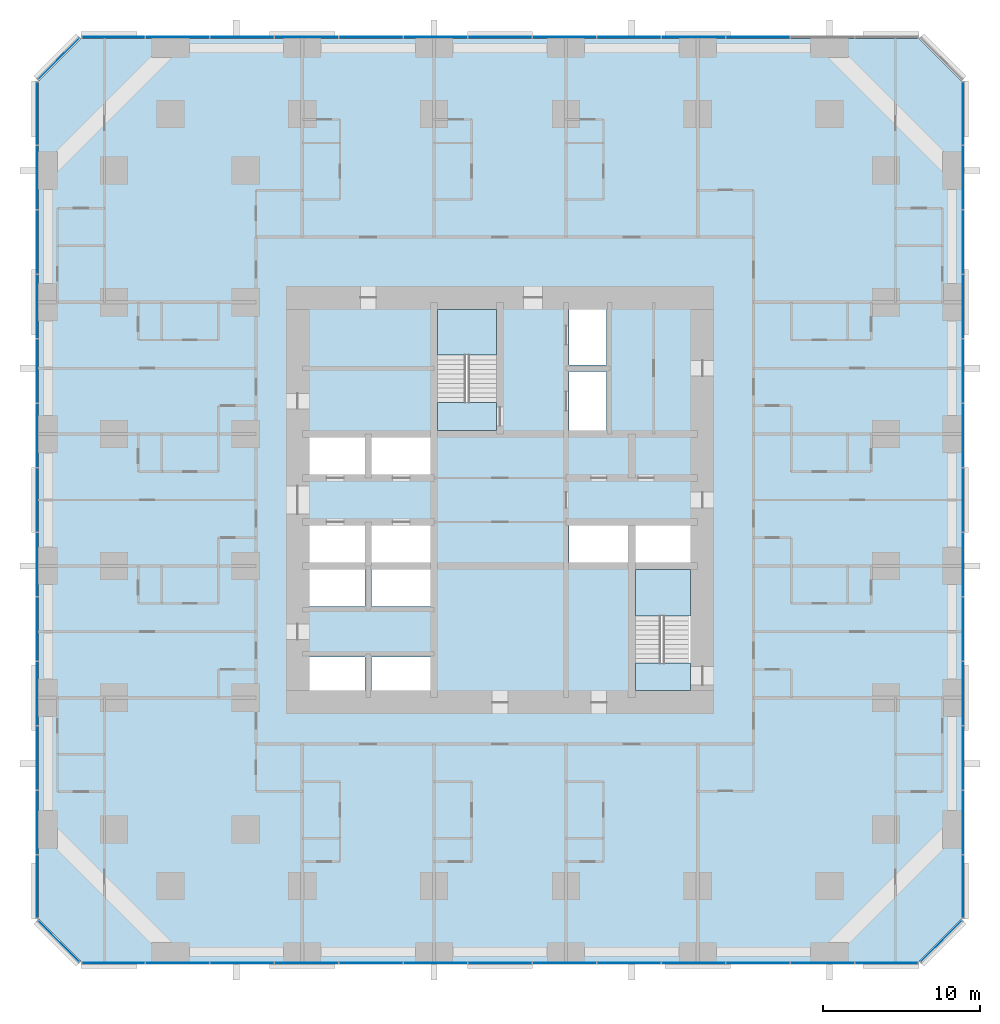
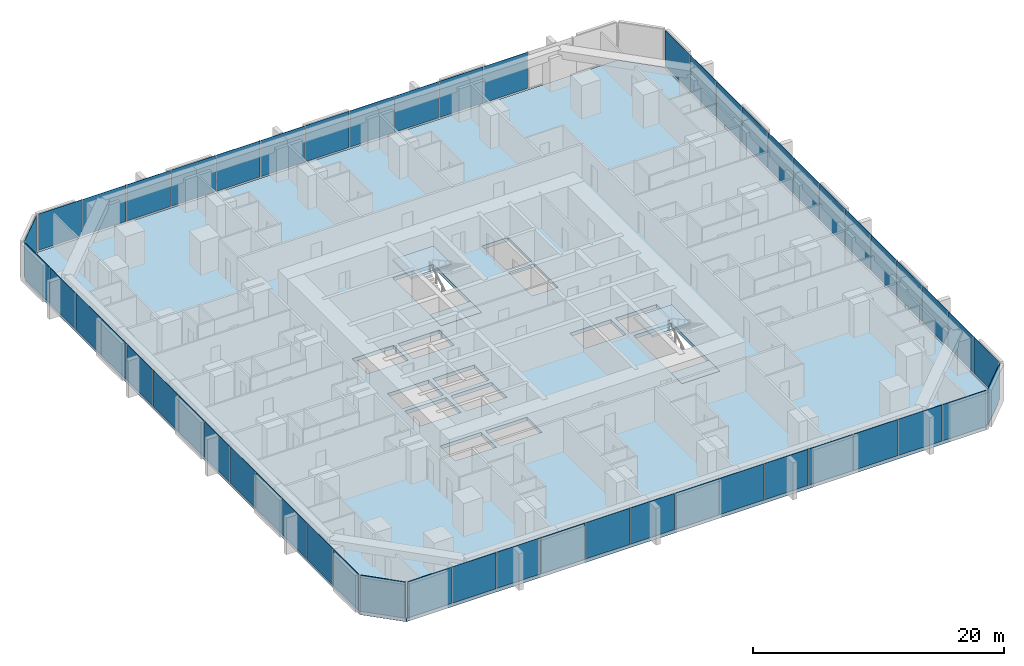
# One storey, part 9 of 17: 53 plates, 5 slabs, 9 elements without a shape of their own.
"""IFC4 building model written with IfcOpenShell, lengths in metres."""

from ifc_helpers import new_model, si_unit, direction, frame, origin, origin_2d, place, context, subcontext, project, spatial, polyline, rectangle, outline, extrude, material, layer, layer_set, type_object, element, aggregate, save


model = new_model("IFC4")

# Units and contexts
model_context = context("Model", 3, precision=1e-05, world=origin(), true_north=direction((0.0, 1.0)))
body_context = subcontext(model_context, "Body", "Model", "MODEL_VIEW")
ifc_project = project(units=[si_unit("LENGTHUNIT", "METRE"), si_unit("AREAUNIT", "SQUARE_METRE"), si_unit("VOLUMEUNIT", "CUBIC_METRE"), si_unit("PLANEANGLEUNIT", "RADIAN"), si_unit("MASSUNIT", "GRAM", prefix="KILO")], contexts=[model_context])

# Site, building, storey
site_placement = place(None, origin())
site = spatial("IfcSite", under=ifc_project, at=site_placement, CompositionType="ELEMENT")
building_placement = place(site_placement, origin())
building = spatial("IfcBuilding", under=site, at=building_placement, Name="Dunama Terrace Hotel", CompositionType="ELEMENT")
storey_placement = place(building_placement, frame((0.0, 0.0, 55.800048828125)))
storey = spatial("IfcBuildingStorey", under=building, at=storey_placement, Name="L13", CompositionType="ELEMENT", Elevation=55.800048828125)

# Curtain wall, plates
ifc_material_1 = material(Name="Aluminium curtain wall system", Category="aluminium")
curtain_wall_type = type_object("IfcCurtainWallType", Name="Unitised fritted glass wall CW-A", PredefinedType="NOTDEFINED", material=ifc_material_1)
curtain_wall_1_placement = place(storey_placement, origin())
curtain_wall_1 = element("IfcCurtainWall", 1, at=curtain_wall_1_placement, inside=storey, type_object=curtain_wall_type, Name="Unitised fritted glass wall CW-A L13", PredefinedType="NOTDEFINED")
ifc_material_2 = material(Name="Laminated glass", Category="glass")
ifc_layer_1 = layer(ifc_material_2, 0.030029296875)
ifc_layer_set_1 = layer_set([ifc_layer_1], Name="CWA clear glass panel")
plate_type_1 = type_object("IfcPlateType", Name="CWA clear glass panel", PredefinedType="CURTAIN_PANEL", material=ifc_layer_set_1)
plate_1_placement = place(storey_placement, frame((8.862060546875, -0.10009765625, 0.074951171875), z_axis=(0.0, 0.0, 1.0), x_axis=(1.0, 0.0, 0.0)))
plate_1 = element("IfcPlate", 2, at=plate_1_placement, type_object=plate_type_1, Name="CWA clear glass panel", PredefinedType="CURTAIN_PANEL", context=body_context, shape_type="SweptSolid", body=[
    extrude(rectangle(XDim=4.042724609375, YDim=0.030029296875, at=origin_2d()), origin(), (0.0, 0.0, 1.0), 3.52490234375),
])
plate_2_placement = place(storey_placement, frame((21.18505859375, -0.10009765625, 0.074951171875), z_axis=(0.0, 0.0, 1.0), x_axis=(1.0, 0.0, 0.0)))
plate_2 = element("IfcPlate", 3, at=plate_2_placement, type_object=plate_type_1, Name="CWA clear glass panel", PredefinedType="CURTAIN_PANEL", context=body_context, shape_type="SweptSolid", body=[
    extrude(rectangle(XDim=4.042724609375, YDim=0.030029296875, at=origin_2d()), origin(), (0.0, 0.0, 1.0), 3.52490234375),
])
plate_3_placement = place(storey_placement, frame((33.508056640625, -0.10009765625, 0.074951171875), z_axis=(0.0, 0.0, 1.0), x_axis=(1.0, 0.0, 0.0)))
plate_3 = element("IfcPlate", 4, at=plate_3_placement, type_object=plate_type_1, Name="CWA clear glass panel", PredefinedType="CURTAIN_PANEL", context=body_context, shape_type="SweptSolid", body=[
    extrude(rectangle(XDim=4.042724609375, YDim=0.030029296875, at=origin_2d()), origin(), (0.0, 0.0, 1.0), 3.52490234375),
])
plate_4_placement = place(storey_placement, frame((45.8310546875, -0.10009765625, 0.074951171875), z_axis=(0.0, 0.0, 1.0), x_axis=(1.0, 0.0, 0.0)))
plate_4 = element("IfcPlate", 5, at=plate_4_placement, type_object=plate_type_1, Name="CWA clear glass panel", PredefinedType="CURTAIN_PANEL", context=body_context, shape_type="SweptSolid", body=[
    extrude(rectangle(XDim=4.042724609375, YDim=0.030029296875, at=origin_2d()), origin(), (0.0, 0.0, 1.0), 3.52490234375),
])

# Curtain wall, plate
curtain_wall_2_placement = place(storey_placement, origin())
curtain_wall_2 = element("IfcCurtainWall", 6, at=curtain_wall_2_placement, inside=storey, type_object=curtain_wall_type, Name="Unitised fritted glass wall CW-A L13", PredefinedType="NOTDEFINED")
plate_5_placement = place(storey_placement, frame((57.52099609375, 1.279052734375, 0.074951171875), z_axis=(0.0, 0.0, 1.0), x_axis=(0.707106781187, 0.707106781187, 0.0)))
plate_5 = element("IfcPlate", 7, at=plate_5_placement, type_object=plate_type_1, Name="CWA clear glass panel", PredefinedType="CURTAIN_PANEL", context=body_context, shape_type="SweptSolid", body=[
    extrude(rectangle(XDim=3.6884765625, YDim=0.030029296875, at=origin_2d()), origin(), (0.0, 0.0, 1.0), 3.52490234375),
])
aggregate(curtain_wall_2, [plate_5])

# Curtain wall, plates
curtain_wall_3_placement = place(storey_placement, origin())
curtain_wall_3 = element("IfcCurtainWall", 8, at=curtain_wall_3_placement, inside=storey, type_object=curtain_wall_type, Name="Unitised fritted glass wall CW-A L13", PredefinedType="NOTDEFINED")
plate_6_placement = place(storey_placement, frame((58.89990234375, 12.968994140625, 0.074951171875), z_axis=(0.0, 0.0, 1.0), x_axis=(0.0, 1.0, 0.0)))
plate_6 = element("IfcPlate", 9, at=plate_6_placement, type_object=plate_type_1, Name="CWA clear glass panel", PredefinedType="CURTAIN_PANEL", context=body_context, shape_type="SweptSolid", body=[
    extrude(rectangle(XDim=4.042724609375, YDim=0.030029296875, at=origin_2d()), origin(), (0.0, 0.0, 1.0), 3.52490234375),
])
plate_7_placement = place(storey_placement, frame((58.89990234375, 25.2919921875, 0.074951171875), z_axis=(0.0, 0.0, 1.0), x_axis=(0.0, 1.0, 0.0)))
plate_7 = element("IfcPlate", 10, at=plate_7_placement, type_object=plate_type_1, Name="CWA clear glass panel", PredefinedType="CURTAIN_PANEL", context=body_context, shape_type="SweptSolid", body=[
    extrude(rectangle(XDim=4.042724609375, YDim=0.030029296875, at=origin_2d()), origin(), (0.0, 0.0, 1.0), 3.52490234375),
])
plate_8_placement = place(storey_placement, frame((58.89990234375, 37.614990234375, 0.074951171875), z_axis=(0.0, 0.0, 1.0), x_axis=(0.0, 1.0, 0.0)))
plate_8 = element("IfcPlate", 11, at=plate_8_placement, type_object=plate_type_1, Name="CWA clear glass panel", PredefinedType="CURTAIN_PANEL", context=body_context, shape_type="SweptSolid", body=[
    extrude(rectangle(XDim=4.042724609375, YDim=0.030029296875, at=origin_2d()), origin(), (0.0, 0.0, 1.0), 3.52490234375),
])
plate_9_placement = place(storey_placement, frame((58.89990234375, 49.93798828125, 0.074951171875), z_axis=(0.0, 0.0, 1.0), x_axis=(0.0, 1.0, 0.0)))
plate_9 = element("IfcPlate", 12, at=plate_9_placement, type_object=plate_type_1, Name="CWA clear glass panel", PredefinedType="CURTAIN_PANEL", context=body_context, shape_type="SweptSolid", body=[
    extrude(rectangle(XDim=4.042724609375, YDim=0.030029296875, at=origin_2d()), origin(), (0.0, 0.0, 1.0), 3.52490234375),
])

curtain_wall_4_placement = place(storey_placement, origin())
curtain_wall_4 = element("IfcCurtainWall", 13, at=curtain_wall_4_placement, inside=storey, type_object=curtain_wall_type, Name="Unitised fritted glass wall CW-A L13", PredefinedType="NOTDEFINED")
plate_10_placement = place(storey_placement, frame((41.722900390625, 58.89990234375, 0.074951171875), z_axis=(0.0, 0.0, 1.0), x_axis=(-1.0, 0.0, 0.0)))
plate_10 = element("IfcPlate", 14, at=plate_10_placement, type_object=plate_type_1, Name="CWA clear glass panel", PredefinedType="CURTAIN_PANEL", context=body_context, shape_type="SweptSolid", body=[
    extrude(rectangle(XDim=4.042724609375, YDim=0.030029296875, at=origin_2d()), origin(), (0.0, 0.0, 1.0), 3.52490234375),
])
plate_11_placement = place(storey_placement, frame((29.39990234375, 58.89990234375, 0.074951171875), z_axis=(0.0, 0.0, 1.0), x_axis=(-1.0, 0.0, 0.0)))
plate_11 = element("IfcPlate", 15, at=plate_11_placement, type_object=plate_type_1, Name="CWA clear glass panel", PredefinedType="CURTAIN_PANEL", context=body_context, shape_type="SweptSolid", body=[
    extrude(rectangle(XDim=4.042724609375, YDim=0.030029296875, at=origin_2d()), origin(), (0.0, 0.0, 1.0), 3.52490234375),
])
plate_12_placement = place(storey_placement, frame((17.076904296875, 58.89990234375, 0.074951171875), z_axis=(0.0, 0.0, 1.0), x_axis=(-1.0, 0.0, 0.0)))
plate_12 = element("IfcPlate", 16, at=plate_12_placement, type_object=plate_type_1, Name="CWA clear glass panel", PredefinedType="CURTAIN_PANEL", context=body_context, shape_type="SweptSolid", body=[
    extrude(rectangle(XDim=4.042724609375, YDim=0.030029296875, at=origin_2d()), origin(), (0.0, 0.0, 1.0), 3.52490234375),
])
plate_13_placement = place(storey_placement, frame((4.77001953125, 58.89990234375, 0.074951171875), z_axis=(0.0, 0.0, 1.0), x_axis=(-1.0, 0.0, 0.0)))
plate_13 = element("IfcPlate", 17, at=plate_13_placement, type_object=plate_type_1, Name="CWA clear glass panel", PredefinedType="CURTAIN_PANEL", context=body_context, shape_type="SweptSolid", body=[
    extrude(rectangle(XDim=4.01025390625, YDim=0.030029296875, at=origin_2d()), origin(), (0.0, 0.0, 1.0), 3.52490234375),
])

curtain_wall_5_placement = place(storey_placement, origin())
curtain_wall_5 = element("IfcCurtainWall", 18, at=curtain_wall_5_placement, inside=storey, type_object=curtain_wall_type, Name="Unitised fritted glass wall CW-A L13", PredefinedType="NOTDEFINED")
plate_14_placement = place(storey_placement, frame((-0.10009765625, 49.93798828125, 0.074951171875), z_axis=(0.0, 0.0, 1.0), x_axis=(0.0, -1.0, 0.0)))
plate_14 = element("IfcPlate", 19, at=plate_14_placement, type_object=plate_type_1, Name="CWA clear glass panel", PredefinedType="CURTAIN_PANEL", context=body_context, shape_type="SweptSolid", body=[
    extrude(rectangle(XDim=4.042724609375, YDim=0.030029296875, at=origin_2d()), origin(), (0.0, 0.0, 1.0), 3.52490234375),
])
plate_15_placement = place(storey_placement, frame((-0.10009765625, 37.614990234375, 0.074951171875), z_axis=(0.0, 0.0, 1.0), x_axis=(0.0, -1.0, 0.0)))
plate_15 = element("IfcPlate", 20, at=plate_15_placement, type_object=plate_type_1, Name="CWA clear glass panel", PredefinedType="CURTAIN_PANEL", context=body_context, shape_type="SweptSolid", body=[
    extrude(rectangle(XDim=4.042724609375, YDim=0.030029296875, at=origin_2d()), origin(), (0.0, 0.0, 1.0), 3.52490234375),
])
plate_16_placement = place(storey_placement, frame((-0.10009765625, 25.2919921875, 0.074951171875), z_axis=(0.0, 0.0, 1.0), x_axis=(0.0, -1.0, 0.0)))
plate_16 = element("IfcPlate", 21, at=plate_16_placement, type_object=plate_type_1, Name="CWA clear glass panel", PredefinedType="CURTAIN_PANEL", context=body_context, shape_type="SweptSolid", body=[
    extrude(rectangle(XDim=4.042724609375, YDim=0.030029296875, at=origin_2d()), origin(), (0.0, 0.0, 1.0), 3.52490234375),
])
plate_17_placement = place(storey_placement, frame((-0.10009765625, 12.968994140625, 0.074951171875), z_axis=(0.0, 0.0, 1.0), x_axis=(0.0, -1.0, 0.0)))
plate_17 = element("IfcPlate", 22, at=plate_17_placement, type_object=plate_type_1, Name="CWA clear glass panel", PredefinedType="CURTAIN_PANEL", context=body_context, shape_type="SweptSolid", body=[
    extrude(rectangle(XDim=4.042724609375, YDim=0.030029296875, at=origin_2d()), origin(), (0.0, 0.0, 1.0), 3.52490234375),
])

# Curtain wall, plate
curtain_wall_6_placement = place(storey_placement, origin())
curtain_wall_6 = element("IfcCurtainWall", 23, at=curtain_wall_6_placement, inside=storey, type_object=curtain_wall_type, Name="Unitised fritted glass wall CW-A L13", PredefinedType="NOTDEFINED")
plate_18_placement = place(storey_placement, frame((1.279052734375, 1.279052734375, 0.074951171875), z_axis=(0.0, 0.0, 1.0), x_axis=(0.707106781187, -0.707106781187, 0.0)))
plate_18 = element("IfcPlate", 24, at=plate_18_placement, type_object=plate_type_1, Name="CWA clear glass panel", PredefinedType="CURTAIN_PANEL", context=body_context, shape_type="SweptSolid", body=[
    extrude(rectangle(XDim=3.6884765625, YDim=0.030029296875, at=origin_2d()), origin(), (0.0, 0.0, 1.0), 3.52490234375),
])
aggregate(curtain_wall_6, [plate_18])

# Plate
ifc_material_3 = material(Name="Fritted laminated glass", Category="glass")
ifc_layer_2 = layer(ifc_material_3, 0.030029296875)
ifc_layer_set_2 = layer_set([ifc_layer_2], Name="CWA fritted glass panel")
plate_type_2 = type_object("IfcPlateType", Name="CWA fritted glass panel", PredefinedType="CURTAIN_PANEL", material=ifc_layer_set_2)
plate_19_placement = place(storey_placement, frame((4.77001953125, -0.10009765625, 0.074951171875), z_axis=(0.0, 0.0, 1.0), x_axis=(1.0, 0.0, 0.0)))
plate_19 = element("IfcPlate", 25, at=plate_19_placement, type_object=plate_type_2, Name="CWA fritted glass panel", PredefinedType="CURTAIN_PANEL", context=body_context, shape_type="SweptSolid", body=[
    extrude(rectangle(XDim=4.01025390625, YDim=0.030029296875, at=origin_2d()), origin(), (0.0, 0.0, 1.0), 3.52490234375),
])

plate_20_placement = place(storey_placement, frame((17.076904296875, -0.10009765625, 0.074951171875), z_axis=(0.0, 0.0, 1.0), x_axis=(1.0, 0.0, 0.0)))
plate_20 = element("IfcPlate", 26, at=plate_20_placement, type_object=plate_type_2, Name="CWA fritted glass panel", PredefinedType="CURTAIN_PANEL", context=body_context, shape_type="SweptSolid", body=[
    extrude(rectangle(XDim=4.042724609375, YDim=0.030029296875, at=origin_2d()), origin(), (0.0, 0.0, 1.0), 3.52490234375),
])

plate_21_placement = place(storey_placement, frame((29.39990234375, -0.10009765625, 0.074951171875), z_axis=(0.0, 0.0, 1.0), x_axis=(1.0, 0.0, 0.0)))
plate_21 = element("IfcPlate", 27, at=plate_21_placement, type_object=plate_type_2, Name="CWA fritted glass panel", PredefinedType="CURTAIN_PANEL", context=body_context, shape_type="SweptSolid", body=[
    extrude(rectangle(XDim=4.042724609375, YDim=0.030029296875, at=origin_2d()), origin(), (0.0, 0.0, 1.0), 3.52490234375),
])

plate_22_placement = place(storey_placement, frame((41.722900390625, -0.10009765625, 0.074951171875), z_axis=(0.0, 0.0, 1.0), x_axis=(1.0, 0.0, 0.0)))
plate_22 = element("IfcPlate", 28, at=plate_22_placement, type_object=plate_type_2, Name="CWA fritted glass panel", PredefinedType="CURTAIN_PANEL", context=body_context, shape_type="SweptSolid", body=[
    extrude(rectangle(XDim=4.042724609375, YDim=0.030029296875, at=origin_2d()), origin(), (0.0, 0.0, 1.0), 3.52490234375),
])

plate_23_placement = place(storey_placement, frame((54.030029296875, -0.10009765625, 0.074951171875), z_axis=(0.0, 0.0, 1.0), x_axis=(1.0, 0.0, 0.0)))
plate_23 = element("IfcPlate", 29, at=plate_23_placement, type_object=plate_type_2, Name="CWA fritted glass panel", PredefinedType="CURTAIN_PANEL", context=body_context, shape_type="SweptSolid", body=[
    extrude(rectangle(XDim=4.01025390625, YDim=0.030029296875, at=origin_2d()), origin(), (0.0, 0.0, 1.0), 3.52490234375),
])

plate_24_placement = place(storey_placement, frame((58.89990234375, 8.862060546875, 0.074951171875), z_axis=(0.0, 0.0, 1.0), x_axis=(0.0, 1.0, 0.0)))
plate_24 = element("IfcPlate", 30, at=plate_24_placement, type_object=plate_type_2, Name="CWA fritted glass panel", PredefinedType="CURTAIN_PANEL", context=body_context, shape_type="SweptSolid", body=[
    extrude(rectangle(XDim=4.042724609375, YDim=0.030029296875, at=origin_2d()), origin(), (0.0, 0.0, 1.0), 3.52490234375),
])

plate_25_placement = place(storey_placement, frame((58.89990234375, 21.18505859375, 0.074951171875), z_axis=(0.0, 0.0, 1.0), x_axis=(0.0, 1.0, 0.0)))
plate_25 = element("IfcPlate", 31, at=plate_25_placement, type_object=plate_type_2, Name="CWA fritted glass panel", PredefinedType="CURTAIN_PANEL", context=body_context, shape_type="SweptSolid", body=[
    extrude(rectangle(XDim=4.042724609375, YDim=0.030029296875, at=origin_2d()), origin(), (0.0, 0.0, 1.0), 3.52490234375),
])

plate_26_placement = place(storey_placement, frame((58.89990234375, 33.508056640625, 0.074951171875), z_axis=(0.0, 0.0, 1.0), x_axis=(0.0, 1.0, 0.0)))
plate_26 = element("IfcPlate", 32, at=plate_26_placement, type_object=plate_type_2, Name="CWA fritted glass panel", PredefinedType="CURTAIN_PANEL", context=body_context, shape_type="SweptSolid", body=[
    extrude(rectangle(XDim=4.042724609375, YDim=0.030029296875, at=origin_2d()), origin(), (0.0, 0.0, 1.0), 3.52490234375),
])

plate_27_placement = place(storey_placement, frame((58.89990234375, 45.8310546875, 0.074951171875), z_axis=(0.0, 0.0, 1.0), x_axis=(0.0, 1.0, 0.0)))
plate_27 = element("IfcPlate", 33, at=plate_27_placement, type_object=plate_type_2, Name="CWA fritted glass panel", PredefinedType="CURTAIN_PANEL", context=body_context, shape_type="SweptSolid", body=[
    extrude(rectangle(XDim=4.042724609375, YDim=0.030029296875, at=origin_2d()), origin(), (0.0, 0.0, 1.0), 3.52490234375),
])

plate_28_placement = place(storey_placement, frame((45.8310546875, 58.89990234375, 0.074951171875), z_axis=(0.0, 0.0, 1.0), x_axis=(-1.0, 0.0, 0.0)))
plate_28 = element("IfcPlate", 34, at=plate_28_placement, type_object=plate_type_2, Name="CWA fritted glass panel", PredefinedType="CURTAIN_PANEL", context=body_context, shape_type="SweptSolid", body=[
    extrude(rectangle(XDim=4.042724609375, YDim=0.030029296875, at=origin_2d()), origin(), (0.0, 0.0, 1.0), 3.52490234375),
])

plate_29_placement = place(storey_placement, frame((33.508056640625, 58.89990234375, 0.074951171875), z_axis=(0.0, 0.0, 1.0), x_axis=(-1.0, 0.0, 0.0)))
plate_29 = element("IfcPlate", 35, at=plate_29_placement, type_object=plate_type_2, Name="CWA fritted glass panel", PredefinedType="CURTAIN_PANEL", context=body_context, shape_type="SweptSolid", body=[
    extrude(rectangle(XDim=4.042724609375, YDim=0.030029296875, at=origin_2d()), origin(), (0.0, 0.0, 1.0), 3.52490234375),
])

plate_30_placement = place(storey_placement, frame((21.18505859375, 58.89990234375, 0.074951171875), z_axis=(0.0, 0.0, 1.0), x_axis=(-1.0, 0.0, 0.0)))
plate_30 = element("IfcPlate", 36, at=plate_30_placement, type_object=plate_type_2, Name="CWA fritted glass panel", PredefinedType="CURTAIN_PANEL", context=body_context, shape_type="SweptSolid", body=[
    extrude(rectangle(XDim=4.042724609375, YDim=0.030029296875, at=origin_2d()), origin(), (0.0, 0.0, 1.0), 3.52490234375),
])

plate_31_placement = place(storey_placement, frame((8.862060546875, 58.89990234375, 0.074951171875), z_axis=(0.0, 0.0, 1.0), x_axis=(-1.0, 0.0, 0.0)))
plate_31 = element("IfcPlate", 37, at=plate_31_placement, type_object=plate_type_2, Name="CWA fritted glass panel", PredefinedType="CURTAIN_PANEL", context=body_context, shape_type="SweptSolid", body=[
    extrude(rectangle(XDim=4.042724609375, YDim=0.030029296875, at=origin_2d()), origin(), (0.0, 0.0, 1.0), 3.52490234375),
])

plate_32_placement = place(storey_placement, frame((-0.10009765625, 54.030029296875, 0.074951171875), z_axis=(0.0, 0.0, 1.0), x_axis=(0.0, -1.0, 0.0)))
plate_32 = element("IfcPlate", 38, at=plate_32_placement, type_object=plate_type_2, Name="CWA fritted glass panel", PredefinedType="CURTAIN_PANEL", context=body_context, shape_type="SweptSolid", body=[
    extrude(rectangle(XDim=4.01025390625, YDim=0.030029296875, at=origin_2d()), origin(), (0.0, 0.0, 1.0), 3.52490234375),
])

plate_33_placement = place(storey_placement, frame((-0.10009765625, 41.722900390625, 0.074951171875), z_axis=(0.0, 0.0, 1.0), x_axis=(0.0, -1.0, 0.0)))
plate_33 = element("IfcPlate", 39, at=plate_33_placement, type_object=plate_type_2, Name="CWA fritted glass panel", PredefinedType="CURTAIN_PANEL", context=body_context, shape_type="SweptSolid", body=[
    extrude(rectangle(XDim=4.042724609375, YDim=0.030029296875, at=origin_2d()), origin(), (0.0, 0.0, 1.0), 3.52490234375),
])

plate_34_placement = place(storey_placement, frame((-0.10009765625, 29.39990234375, 0.074951171875), z_axis=(0.0, 0.0, 1.0), x_axis=(0.0, -1.0, 0.0)))
plate_34 = element("IfcPlate", 40, at=plate_34_placement, type_object=plate_type_2, Name="CWA fritted glass panel", PredefinedType="CURTAIN_PANEL", context=body_context, shape_type="SweptSolid", body=[
    extrude(rectangle(XDim=4.042724609375, YDim=0.030029296875, at=origin_2d()), origin(), (0.0, 0.0, 1.0), 3.52490234375),
])

plate_35_placement = place(storey_placement, frame((-0.10009765625, 17.076904296875, 0.074951171875), z_axis=(0.0, 0.0, 1.0), x_axis=(0.0, -1.0, 0.0)))
plate_35 = element("IfcPlate", 41, at=plate_35_placement, type_object=plate_type_2, Name="CWA fritted glass panel", PredefinedType="CURTAIN_PANEL", context=body_context, shape_type="SweptSolid", body=[
    extrude(rectangle(XDim=4.042724609375, YDim=0.030029296875, at=origin_2d()), origin(), (0.0, 0.0, 1.0), 3.52490234375),
])

plate_36_placement = place(storey_placement, frame((-0.10009765625, 4.77001953125, 0.074951171875), z_axis=(0.0, 0.0, 1.0), x_axis=(0.0, -1.0, 0.0)))
plate_36 = element("IfcPlate", 42, at=plate_36_placement, type_object=plate_type_2, Name="CWA fritted glass panel", PredefinedType="CURTAIN_PANEL", context=body_context, shape_type="SweptSolid", body=[
    extrude(rectangle(XDim=4.01025390625, YDim=0.030029296875, at=origin_2d()), origin(), (0.0, 0.0, 1.0), 3.52490234375),
])

ifc_material_4 = material(Name="Laminated glass", Category="glass")
ifc_layer_3 = layer(ifc_material_4, 0.030029296875)
ifc_layer_set_3 = layer_set([ifc_layer_3], Name="CWA operable glass panel")
plate_type_3 = type_object("IfcPlateType", Name="CWA operable glass panel", PredefinedType="CURTAIN_PANEL", material=ifc_layer_set_3)
plate_37_placement = place(storey_placement, frame((12.968994140625, -0.10009765625, 0.074951171875), z_axis=(0.0, 0.0, 1.0), x_axis=(1.0, 0.0, 0.0)))
plate_37 = element("IfcPlate", 43, at=plate_37_placement, type_object=plate_type_3, Name="CWA operable glass panel", PredefinedType="CURTAIN_PANEL", context=body_context, shape_type="SweptSolid", body=[
    extrude(rectangle(XDim=4.042724609375, YDim=0.030029296875, at=origin_2d()), origin(), (0.0, 0.0, 1.0), 3.52490234375),
])

plate_38_placement = place(storey_placement, frame((25.2919921875, -0.10009765625, 0.074951171875), z_axis=(0.0, 0.0, 1.0), x_axis=(1.0, 0.0, 0.0)))
plate_38 = element("IfcPlate", 44, at=plate_38_placement, type_object=plate_type_3, Name="CWA operable glass panel", PredefinedType="CURTAIN_PANEL", context=body_context, shape_type="SweptSolid", body=[
    extrude(rectangle(XDim=4.042724609375, YDim=0.030029296875, at=origin_2d()), origin(), (0.0, 0.0, 1.0), 3.52490234375),
])

plate_39_placement = place(storey_placement, frame((37.614990234375, -0.10009765625, 0.074951171875), z_axis=(0.0, 0.0, 1.0), x_axis=(1.0, 0.0, 0.0)))
plate_39 = element("IfcPlate", 45, at=plate_39_placement, type_object=plate_type_3, Name="CWA operable glass panel", PredefinedType="CURTAIN_PANEL", context=body_context, shape_type="SweptSolid", body=[
    extrude(rectangle(XDim=4.042724609375, YDim=0.030029296875, at=origin_2d()), origin(), (0.0, 0.0, 1.0), 3.52490234375),
])

plate_40_placement = place(storey_placement, frame((49.93798828125, -0.10009765625, 0.074951171875), z_axis=(0.0, 0.0, 1.0), x_axis=(1.0, 0.0, 0.0)))
plate_40 = element("IfcPlate", 46, at=plate_40_placement, type_object=plate_type_3, Name="CWA operable glass panel", PredefinedType="CURTAIN_PANEL", context=body_context, shape_type="SweptSolid", body=[
    extrude(rectangle(XDim=4.042724609375, YDim=0.030029296875, at=origin_2d()), origin(), (0.0, 0.0, 1.0), 3.52490234375),
])

aggregate(curtain_wall_1, [plate_19, plate_1, plate_37, plate_20, plate_2, plate_38, plate_21, plate_3, plate_39, plate_22, plate_4, plate_40, plate_23])

plate_41_placement = place(storey_placement, frame((58.89990234375, 4.77001953125, 0.074951171875), z_axis=(0.0, 0.0, 1.0), x_axis=(0.0, 1.0, 0.0)))
plate_41 = element("IfcPlate", 47, at=plate_41_placement, type_object=plate_type_3, Name="CWA operable glass panel", PredefinedType="CURTAIN_PANEL", context=body_context, shape_type="SweptSolid", body=[
    extrude(rectangle(XDim=4.01025390625, YDim=0.030029296875, at=origin_2d()), origin(), (0.0, 0.0, 1.0), 3.52490234375),
])

plate_42_placement = place(storey_placement, frame((58.89990234375, 17.076904296875, 0.074951171875), z_axis=(0.0, 0.0, 1.0), x_axis=(0.0, 1.0, 0.0)))
plate_42 = element("IfcPlate", 48, at=plate_42_placement, type_object=plate_type_3, Name="CWA operable glass panel", PredefinedType="CURTAIN_PANEL", context=body_context, shape_type="SweptSolid", body=[
    extrude(rectangle(XDim=4.042724609375, YDim=0.030029296875, at=origin_2d()), origin(), (0.0, 0.0, 1.0), 3.52490234375),
])

plate_43_placement = place(storey_placement, frame((58.89990234375, 29.39990234375, 0.074951171875), z_axis=(0.0, 0.0, 1.0), x_axis=(0.0, 1.0, 0.0)))
plate_43 = element("IfcPlate", 49, at=plate_43_placement, type_object=plate_type_3, Name="CWA operable glass panel", PredefinedType="CURTAIN_PANEL", context=body_context, shape_type="SweptSolid", body=[
    extrude(rectangle(XDim=4.042724609375, YDim=0.030029296875, at=origin_2d()), origin(), (0.0, 0.0, 1.0), 3.52490234375),
])

plate_44_placement = place(storey_placement, frame((58.89990234375, 41.722900390625, 0.074951171875), z_axis=(0.0, 0.0, 1.0), x_axis=(0.0, 1.0, 0.0)))
plate_44 = element("IfcPlate", 50, at=plate_44_placement, type_object=plate_type_3, Name="CWA operable glass panel", PredefinedType="CURTAIN_PANEL", context=body_context, shape_type="SweptSolid", body=[
    extrude(rectangle(XDim=4.042724609375, YDim=0.030029296875, at=origin_2d()), origin(), (0.0, 0.0, 1.0), 3.52490234375),
])

plate_45_placement = place(storey_placement, frame((58.89990234375, 54.030029296875, 0.074951171875), z_axis=(0.0, 0.0, 1.0), x_axis=(0.0, 1.0, 0.0)))
plate_45 = element("IfcPlate", 51, at=plate_45_placement, type_object=plate_type_3, Name="CWA operable glass panel", PredefinedType="CURTAIN_PANEL", context=body_context, shape_type="SweptSolid", body=[
    extrude(rectangle(XDim=4.01025390625, YDim=0.030029296875, at=origin_2d()), origin(), (0.0, 0.0, 1.0), 3.52490234375),
])

aggregate(curtain_wall_3, [plate_41, plate_24, plate_6, plate_42, plate_25, plate_7, plate_43, plate_26, plate_8, plate_44, plate_27, plate_9, plate_45])

plate_46_placement = place(storey_placement, frame((37.614990234375, 58.89990234375, 0.074951171875), z_axis=(0.0, 0.0, 1.0), x_axis=(-1.0, 0.0, 0.0)))
plate_46 = element("IfcPlate", 52, at=plate_46_placement, type_object=plate_type_3, Name="CWA operable glass panel", PredefinedType="CURTAIN_PANEL", context=body_context, shape_type="SweptSolid", body=[
    extrude(rectangle(XDim=4.042724609375, YDim=0.030029296875, at=origin_2d()), origin(), (0.0, 0.0, 1.0), 3.52490234375),
])

plate_47_placement = place(storey_placement, frame((25.2919921875, 58.89990234375, 0.074951171875), z_axis=(0.0, 0.0, 1.0), x_axis=(-1.0, 0.0, 0.0)))
plate_47 = element("IfcPlate", 53, at=plate_47_placement, type_object=plate_type_3, Name="CWA operable glass panel", PredefinedType="CURTAIN_PANEL", context=body_context, shape_type="SweptSolid", body=[
    extrude(rectangle(XDim=4.042724609375, YDim=0.030029296875, at=origin_2d()), origin(), (0.0, 0.0, 1.0), 3.52490234375),
])

plate_48_placement = place(storey_placement, frame((12.968994140625, 58.89990234375, 0.074951171875), z_axis=(0.0, 0.0, 1.0), x_axis=(-1.0, 0.0, 0.0)))
plate_48 = element("IfcPlate", 54, at=plate_48_placement, type_object=plate_type_3, Name="CWA operable glass panel", PredefinedType="CURTAIN_PANEL", context=body_context, shape_type="SweptSolid", body=[
    extrude(rectangle(XDim=4.042724609375, YDim=0.030029296875, at=origin_2d()), origin(), (0.0, 0.0, 1.0), 3.52490234375),
])

aggregate(curtain_wall_4, [plate_28, plate_10, plate_46, plate_29, plate_11, plate_47, plate_30, plate_12, plate_48, plate_31, plate_13])

# Curtain wall, plate
curtain_wall_7_placement = place(storey_placement, origin())
curtain_wall_7 = element("IfcCurtainWall", 55, at=curtain_wall_7_placement, inside=storey, type_object=curtain_wall_type, Name="Unitised fritted glass wall CW-A L13", PredefinedType="NOTDEFINED")
plate_49_placement = place(storey_placement, frame((1.279052734375, 57.52099609375, 0.074951171875), z_axis=(0.0, 0.0, 1.0), x_axis=(-0.707106781187, -0.707106781187, 0.0)))
plate_49 = element("IfcPlate", 56, at=plate_49_placement, type_object=plate_type_3, Name="CWA operable glass panel", PredefinedType="CURTAIN_PANEL", context=body_context, shape_type="SweptSolid", body=[
    extrude(rectangle(XDim=3.6884765625, YDim=0.030029296875, at=origin_2d()), origin(), (0.0, 0.0, 1.0), 3.52490234375),
])
aggregate(curtain_wall_7, [plate_49])

# Plate
plate_50_placement = place(storey_placement, frame((-0.10009765625, 45.8310546875, 0.074951171875), z_axis=(0.0, 0.0, 1.0), x_axis=(0.0, -1.0, 0.0)))
plate_50 = element("IfcPlate", 57, at=plate_50_placement, type_object=plate_type_3, Name="CWA operable glass panel", PredefinedType="CURTAIN_PANEL", context=body_context, shape_type="SweptSolid", body=[
    extrude(rectangle(XDim=4.042724609375, YDim=0.030029296875, at=origin_2d()), origin(), (0.0, 0.0, 1.0), 3.52490234375),
])

plate_51_placement = place(storey_placement, frame((-0.10009765625, 33.508056640625, 0.074951171875), z_axis=(0.0, 0.0, 1.0), x_axis=(0.0, -1.0, 0.0)))
plate_51 = element("IfcPlate", 58, at=plate_51_placement, type_object=plate_type_3, Name="CWA operable glass panel", PredefinedType="CURTAIN_PANEL", context=body_context, shape_type="SweptSolid", body=[
    extrude(rectangle(XDim=4.042724609375, YDim=0.030029296875, at=origin_2d()), origin(), (0.0, 0.0, 1.0), 3.52490234375),
])

plate_52_placement = place(storey_placement, frame((-0.10009765625, 21.18505859375, 0.074951171875), z_axis=(0.0, 0.0, 1.0), x_axis=(0.0, -1.0, 0.0)))
plate_52 = element("IfcPlate", 59, at=plate_52_placement, type_object=plate_type_3, Name="CWA operable glass panel", PredefinedType="CURTAIN_PANEL", context=body_context, shape_type="SweptSolid", body=[
    extrude(rectangle(XDim=4.042724609375, YDim=0.030029296875, at=origin_2d()), origin(), (0.0, 0.0, 1.0), 3.52490234375),
])

plate_53_placement = place(storey_placement, frame((-0.10009765625, 8.862060546875, 0.074951171875), z_axis=(0.0, 0.0, 1.0), x_axis=(0.0, -1.0, 0.0)))
plate_53 = element("IfcPlate", 60, at=plate_53_placement, type_object=plate_type_3, Name="CWA operable glass panel", PredefinedType="CURTAIN_PANEL", context=body_context, shape_type="SweptSolid", body=[
    extrude(rectangle(XDim=4.042724609375, YDim=0.030029296875, at=origin_2d()), origin(), (0.0, 0.0, 1.0), 3.52490234375),
])

aggregate(curtain_wall_5, [plate_32, plate_14, plate_50, plate_33, plate_15, plate_51, plate_34, plate_16, plate_52, plate_35, plate_17, plate_53, plate_36])

# Slab
ifc_material_5 = material(Name="Concrete C40/50", Category="concrete")
ifc_layer_4 = layer(ifc_material_5, 0.35009765625)
ifc_layer_set_4 = layer_set([ifc_layer_4], Name="Flat plate 350")
slab_type_1 = type_object("IfcSlabType", Name="Flat plate 350", PredefinedType="FLOOR", material=ifc_layer_set_4)
slab_1_placement = place(storey_placement, frame((0.0, 0.0, -0.35009765625)))
element("IfcSlab", 61, at=slab_1_placement, inside=storey, type_object=slab_type_1, Name="Floor slab L13", PredefinedType="FLOOR", context=body_context, shape_type="SweptSolid", body=[
    extrude(outline(polyline([(2.699951171875, 0.0), (56.10009765625, 0.0), (58.800048828125, 2.699951171875), (58.800048828125, 56.10009765625), (56.10009765625, 58.800048828125), (2.699951171875, 58.800048828125), (0.0, 56.10009765625), (0.0, 2.699951171875), (2.699951171875, 0.0)]), holes=[polyline([(20.800048828125, 25.39990234375), (20.800048828125, 27.800048828125), (17.0, 27.800048828125), (17.0, 25.39990234375), (20.800048828125, 25.39990234375)]), polyline([(25.0, 25.39990234375), (25.0, 27.800048828125), (21.199951171875, 27.800048828125), (21.199951171875, 25.39990234375), (25.0, 25.39990234375)]), polyline([(20.800048828125, 31.0), (20.800048828125, 33.39990234375), (17.0, 33.39990234375), (17.0, 31.0), (20.800048828125, 31.0)]), polyline([(25.0, 31.0), (25.0, 33.39990234375), (21.199951171875, 33.39990234375), (21.199951171875, 31.0), (25.0, 31.0)]), polyline([(37.60009765625, 25.39990234375), (37.60009765625, 27.800048828125), (33.800048828125, 27.800048828125), (33.800048828125, 25.39990234375), (37.60009765625, 25.39990234375)]), polyline([(41.800048828125, 25.39990234375), (41.800048828125, 27.800048828125), (38.0, 27.800048828125), (38.0, 25.39990234375), (41.800048828125, 25.39990234375)]), polyline([(20.800048828125, 17.0), (20.800048828125, 19.39990234375), (17.0, 19.39990234375), (17.0, 17.0), (20.800048828125, 17.0)]), polyline([(25.0, 17.0), (25.0, 19.39990234375), (21.199951171875, 19.39990234375), (21.199951171875, 17.0), (25.0, 17.0)]), polyline([(20.800048828125, 22.60009765625), (20.800048828125, 25.0), (17.0, 25.0), (17.0, 22.60009765625), (20.800048828125, 22.60009765625)]), polyline([(25.0, 22.60009765625), (25.0, 25.0), (21.199951171875, 25.0), (21.199951171875, 22.60009765625), (25.0, 22.60009765625)]), polyline([(36.199951171875, 38.0), (36.199951171875, 41.800048828125), (33.800048828125, 41.800048828125), (33.800048828125, 38.0), (36.199951171875, 38.0)]), polyline([(36.199951171875, 33.800048828125), (36.199951171875, 37.60009765625), (33.800048828125, 37.60009765625), (33.800048828125, 33.800048828125), (36.199951171875, 33.800048828125)]), polyline([(29.175048828125, 33.824951171875), (29.175048828125, 41.550048828125), (25.425048828125, 41.550048828125), (25.425048828125, 33.824951171875), (29.175048828125, 33.824951171875)]), polyline([(41.550048828125, 17.25), (41.550048828125, 24.97509765625), (38.050048828125, 24.97509765625), (38.050048828125, 17.25), (41.550048828125, 17.25)])]), origin(), (0.0, 0.0, 1.0), 0.35009765625),
])

# Stair, slabs
ifc_material_6 = material(Name="Concrete C40/50", Category="concrete")
stair_type_1 = type_object("IfcStairType", Name="Stair ST1-3600-1800", PredefinedType="HALF_TURN_STAIR", material=ifc_material_6)
stair_1_placement = place(storey_placement, origin())
stair_1 = element("IfcStair", 62, at=stair_1_placement, inside=storey, type_object=stair_type_1, Name="Stair ST1 L13", PredefinedType="HALF_TURN_STAIR")
ifc_material_7 = material(Name="Concrete C40/50", Category="concrete")
ifc_layer_5 = layer(ifc_material_7, 0.199951171875)
ifc_layer_set_5 = layer_set([ifc_layer_5], Name="Stair landing 200")
slab_type_2 = type_object("IfcSlabType", Name="Stair landing 200", PredefinedType="LANDING", material=ifc_layer_set_5)
slab_2_placement = place(storey_placement, frame((0.0, 0.0, -0.199951171875)))
slab_2 = element("IfcSlab", 63, at=slab_2_placement, type_object=slab_type_2, Name="ST1 landing 1, type S10", PredefinedType="LANDING", context=body_context, shape_type="SweptSolid", body=[
    extrude(outline(polyline([(25.425048828125, 33.824951171875), (29.175048828125, 33.824951171875), (29.175048828125, 35.625), (25.425048828125, 35.625), (25.425048828125, 33.824951171875)])), origin(), (0.0, 0.0, 1.0), 0.199951171875),
])
slab_3_placement = place(storey_placement, frame((0.0, 0.0, 1.599853515625)))
slab_3 = element("IfcSlab", 64, at=slab_3_placement, type_object=slab_type_2, Name="ST1 landing 2, type S10", PredefinedType="LANDING", context=body_context, shape_type="SweptSolid", body=[
    extrude(outline(polyline([(25.425048828125, 38.625), (29.175048828125, 38.625), (29.175048828125, 41.550048828125), (25.425048828125, 41.550048828125), (25.425048828125, 38.625)])), origin(), (0.0, 0.0, 1.0), 0.2001953125),
])
aggregate(stair_1, [slab_2, slab_3])

ifc_material_8 = material(Name="Concrete C40/50", Category="concrete")
stair_type_2 = type_object("IfcStairType", Name="Stair ST2-3600-1600", PredefinedType="HALF_TURN_STAIR", material=ifc_material_8)
stair_2_placement = place(storey_placement, origin())
stair_2 = element("IfcStair", 65, at=stair_2_placement, inside=storey, type_object=stair_type_2, Name="Stair ST2 L13", PredefinedType="HALF_TURN_STAIR")
slab_4_placement = place(storey_placement, frame((0.0, 0.0, -0.199951171875)))
slab_4 = element("IfcSlab", 66, at=slab_4_placement, type_object=slab_type_2, Name="ST2 landing 1, type S10", PredefinedType="LANDING", context=body_context, shape_type="SweptSolid", body=[
    extrude(outline(polyline([(38.050048828125, 17.25), (41.550048828125, 17.25), (41.550048828125, 19.0), (38.050048828125, 19.0), (38.050048828125, 17.25)])), origin(), (0.0, 0.0, 1.0), 0.199951171875),
])
slab_5_placement = place(storey_placement, frame((0.0, 0.0, 1.599853515625)))
slab_5 = element("IfcSlab", 67, at=slab_5_placement, type_object=slab_type_2, Name="ST2 landing 2, type S10", PredefinedType="LANDING", context=body_context, shape_type="SweptSolid", body=[
    extrude(outline(polyline([(38.050048828125, 22.0), (41.550048828125, 22.0), (41.550048828125, 24.97509765625), (38.050048828125, 24.97509765625), (38.050048828125, 22.0)])), origin(), (0.0, 0.0, 1.0), 0.2001953125),
])
aggregate(stair_2, [slab_4, slab_5])

save(model, "model.ifc")
